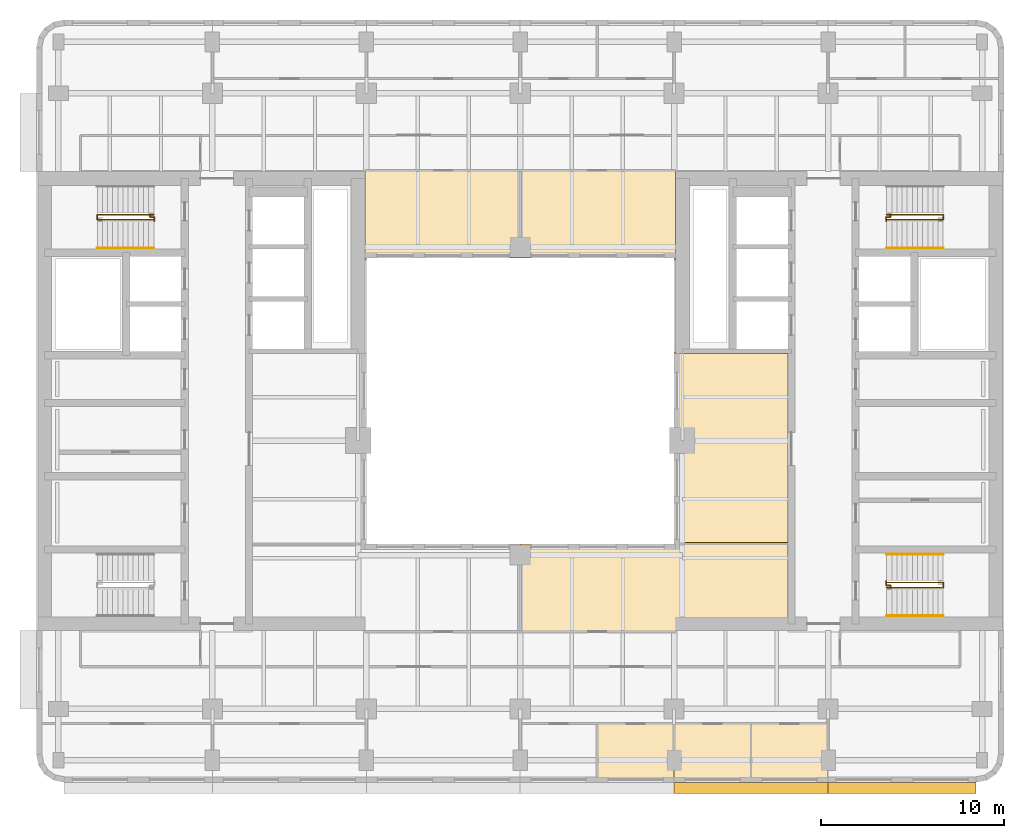
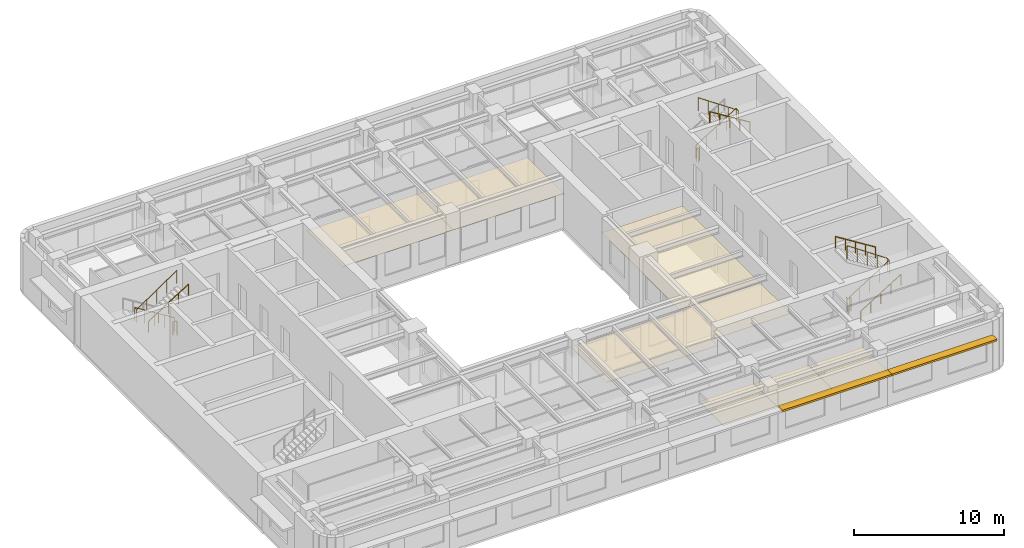
# One storey, part 10 of 11: 10 railings, 7 coverings, 2 shading devices.
"""IFC4 building model written with IfcOpenShell, lengths in metres."""

from ifc_helpers import new_model, si_unit, direction, frame, origin, origin_2d, place, context, subcontext, project, spatial, polyline, rectangle, circle, outline, extrude, material, layer, layer_set, type_object, element, save


model = new_model("IFC4")

# Units and contexts
model_context = context("Model", 3, precision=1e-05, world=origin(), true_north=direction((0.0, 1.0)))
body_context = subcontext(model_context, "Body", "Model", "MODEL_VIEW")
ifc_project = project(units=[si_unit("LENGTHUNIT", "METRE"), si_unit("AREAUNIT", "SQUARE_METRE"), si_unit("VOLUMEUNIT", "CUBIC_METRE"), si_unit("PLANEANGLEUNIT", "RADIAN"), si_unit("MASSUNIT", "GRAM", prefix="KILO")], contexts=[model_context])

# Site, building, storey
site_placement = place(None, origin())
site = spatial("IfcSite", under=ifc_project, at=site_placement, CompositionType="ELEMENT")
building_placement = place(site_placement, origin())
building = spatial("IfcBuilding", under=site, at=building_placement, Name="Claustro Exchange Tower", CompositionType="ELEMENT")
storey_placement = place(building_placement, frame((0.0, 0.0, 232.199951171875)))
storey = spatial("IfcBuildingStorey", under=building, at=storey_placement, Name="L53", CompositionType="ELEMENT", Elevation=232.199951171875)

# Coverings
ifc_material_1 = material(Name="Gypsum board ceiling", Category="gypsum board")
ifc_layer_1 = layer(ifc_material_1, 0.02490234375)
ifc_layer_set_1 = layer_set([ifc_layer_1], Name="Gypsum board ceiling")
covering_type = type_object("IfcCoveringType", Name="CL2 plasterboard ceiling", PredefinedType="CEILING", material=ifc_layer_set_1)
covering_1_placement = place(storey_placement, frame((0.0, 0.0, 2.800048828125)))
element("IfcCovering", 1, at=covering_1_placement, inside=storey, type_object=covering_type, Name="Ceiling CL2 L53-04", PredefinedType="CEILING", context=body_context, shape_type="SweptSolid", body=[
    extrude(outline(polyline([(29.39990234375, 4.39990234375), (33.60009765625, 4.39990234375), (33.60009765625, 7.60009765625), (29.39990234375, 7.60009765625), (29.39990234375, 4.39990234375)])), origin(), (0.0, 0.0, 1.0), 0.02490234375),
])
covering_2_placement = place(storey_placement, frame((0.0, 0.0, 2.800048828125)))
element("IfcCovering", 2, at=covering_2_placement, inside=storey, type_object=covering_type, Name="Ceiling CL2 L53-05", PredefinedType="CEILING", context=body_context, shape_type="SweptSolid", body=[
    extrude(outline(polyline([(33.60009765625, 4.39990234375), (37.800048828125, 4.39990234375), (37.800048828125, 7.60009765625), (33.60009765625, 7.60009765625), (33.60009765625, 4.39990234375)])), origin(), (0.0, 0.0, 1.0), 0.02490234375),
])
covering_3_placement = place(storey_placement, frame((0.0, 0.0, 2.800048828125)))
element("IfcCovering", 3, at=covering_3_placement, inside=storey, type_object=covering_type, Name="Ceiling CL2 L53-06", PredefinedType="CEILING", context=body_context, shape_type="SweptSolid", body=[
    extrude(outline(polyline([(37.800048828125, 4.39990234375), (42.0, 4.39990234375), (42.0, 7.60009765625), (37.800048828125, 7.60009765625), (37.800048828125, 4.39990234375)])), origin(), (0.0, 0.0, 1.0), 0.02490234375),
])
covering_4_placement = place(storey_placement, frame((0.0, 0.0, 2.800048828125)))
element("IfcCovering", 4, at=covering_4_placement, inside=storey, type_object=covering_type, Name="Ceiling CL2 L53-12", PredefinedType="CEILING", context=body_context, shape_type="SweptSolid", body=[
    extrude(outline(polyline([(39.800048828125, 13.405029296875), (39.800048828125, 17.4951171875), (33.60009765625, 17.4951171875), (33.60009765625, 17.39990234375), (25.199951171875, 17.39990234375), (25.199951171875, 12.60009765625), (33.695068359375, 12.60009765625), (33.695068359375, 13.405029296875), (39.800048828125, 13.405029296875)])), origin(), (0.0, 0.0, 1.0), 0.02490234375),
])
covering_5_placement = place(storey_placement, frame((0.0, 0.0, 2.800048828125)))
element("IfcCovering", 5, at=covering_5_placement, inside=storey, type_object=covering_type, Name="Ceiling CL2 L53-14", PredefinedType="CEILING", context=body_context, shape_type="SweptSolid", body=[
    extrude(outline(polyline([(33.60009765625, 27.89501953125), (33.60009765625, 17.304931640625), (39.800048828125, 17.304931640625), (39.800048828125, 27.800048828125), (33.675048828125, 27.800048828125), (33.675048828125, 27.89501953125), (33.60009765625, 27.89501953125)])), origin(), (0.0, 0.0, 1.0), 0.02490234375),
])
covering_6_placement = place(storey_placement, frame((0.0, 0.0, 2.800048828125)))
element("IfcCovering", 6, at=covering_6_placement, inside=storey, type_object=covering_type, Name="Ceiling CL2 L53-15", PredefinedType="CEILING", context=body_context, shape_type="SweptSolid", body=[
    extrude(outline(polyline([(25.199951171875, 37.800048828125), (16.705078125, 37.800048828125), (16.705078125, 37.72509765625), (16.72509765625, 37.72509765625), (16.72509765625, 32.905029296875), (16.800048828125, 32.905029296875), (16.800048828125, 33.0), (25.199951171875, 33.0), (25.199951171875, 37.800048828125)])), origin(), (0.0, 0.0, 1.0), 0.02490234375),
])
covering_7_placement = place(storey_placement, frame((0.0, 0.0, 2.800048828125)))
element("IfcCovering", 7, at=covering_7_placement, inside=storey, type_object=covering_type, Name="Ceiling CL2 L53-16", PredefinedType="CEILING", context=body_context, shape_type="SweptSolid", body=[
    extrude(outline(polyline([(33.60009765625, 33.0), (33.60009765625, 32.905029296875), (33.675048828125, 32.905029296875), (33.675048828125, 37.72509765625), (33.695068359375, 37.72509765625), (33.695068359375, 37.800048828125), (25.199951171875, 37.800048828125), (25.199951171875, 33.0), (33.60009765625, 33.0)])), origin(), (0.0, 0.0, 1.0), 0.02490234375),
])

# Railings
ifc_material_2 = material(Name="Steel balustrade, painted", Category="steel")
railing_type_1 = type_object("IfcRailingType", Name="GR2 1100 steel stair guard", PredefinedType="GUARDRAIL", material=ifc_material_2)
railing_1_placement = place(storey_placement, frame((5.199951171875, 35.375, 0.175048828125)))
element("IfcRailing", 8, at=railing_1_placement, inside=storey, type_object=railing_type_1, Name="Stair well guard GR2 stair STWB L53", PredefinedType="GUARDRAIL", context=body_context, shape_type="SweptSolid", body=[
    extrude(circle(Radius=0.02392578125, at=origin_2d()), frame((0.0, 0.0, 1.076171875), z_axis=(-0.847979421464, 0.0, 0.530029150871), x_axis=(0.0, -1.0, 0.0)), (0.0, 0.0, 1.0), 3.632080078125),
    extrude(circle(Radius=0.02392578125, at=origin_2d()), frame((-3.079833984375, 0.0, 3.0009765625), z_axis=(0.0, -1.0, 0.0), x_axis=(1.0, 0.0, 0.0)), (0.0, 0.0, 1.0), 0.27490234375),
    extrude(circle(Radius=0.02392578125, at=origin_2d()), frame((-3.079833984375, -0.27490234375, 3.0009765625), z_axis=(0.826231499792, 0.0, 0.563330727682), x_axis=(0.0, 1.0, 0.0)), (0.0, 0.0, 1.0), 3.7275390625),
    extrude(circle(Radius=0.02099609375, at=origin_2d()), origin(), (0.0, 0.0, 1.0), 1.052001953125),
    extrude(circle(Radius=0.02099609375, at=origin_2d()), frame((-0.77001953125, 0.0, 0.481201171875)), (0.0, 0.0, 1.0), 1.052001953125),
    extrude(circle(Radius=0.02099609375, at=origin_2d()), frame((-1.5400390625, 0.0, 0.96240234375)), (0.0, 0.0, 1.0), 1.052001953125),
    extrude(circle(Radius=0.02099609375, at=origin_2d()), frame((-2.309814453125, 0.0, 1.44384765625)), (0.0, 0.0, 1.0), 1.052001953125),
    extrude(circle(Radius=0.02099609375, at=origin_2d()), frame((-3.079833984375, 0.0, 1.925048828125)), (0.0, 0.0, 1.0), 1.052001953125),
    extrude(circle(Radius=0.02099609375, at=origin_2d()), frame((-3.079833984375, -0.27490234375, 1.925048828125)), (0.0, 0.0, 1.0), 1.052001953125),
    extrude(circle(Radius=0.02099609375, at=origin_2d()), frame((-2.309814453125, -0.27490234375, 2.449951171875)), (0.0, 0.0, 1.0), 1.052001953125),
    extrude(circle(Radius=0.02099609375, at=origin_2d()), frame((-1.5400390625, -0.27490234375, 2.97509765625)), (0.0, 0.0, 1.0), 1.052001953125),
    extrude(circle(Radius=0.02099609375, at=origin_2d()), frame((-0.77001953125, -0.27490234375, 3.5)), (0.0, 0.0, 1.0), 1.052001953125),
    extrude(circle(Radius=0.02099609375, at=origin_2d()), frame((0.0, -0.27490234375, 4.02490234375)), (0.0, 0.0, 1.0), 1.052001953125),
])
railing_2_placement = place(storey_placement, frame((5.0, 35.304931640625, 0.0)))
element("IfcRailing", 9, at=railing_2_placement, inside=storey, type_object=railing_type_1, Name="Stair guard GR2 STWB L53", PredefinedType="GUARDRAIL", context=body_context, shape_type="SweptSolid", body=[
    extrude(circle(Radius=0.02392578125, at=origin_2d()), frame((0.0, 0.0, 1.076171875), z_axis=(0.0, -1.0, 0.0), x_axis=(1.0, 0.0, 0.0)), (0.0, 0.0, 1.0), 0.0673828125),
    extrude(circle(Radius=0.02392578125, at=origin_2d()), frame((0.0, -0.0673828125, 1.076171875), z_axis=(1.0, 0.0, 0.0), x_axis=(0.0, 1.0, 0.0)), (0.0, 0.0, 1.0), 0.22509765625),
    extrude(circle(Radius=0.02392578125, at=origin_2d()), frame((0.22509765625, -0.0673828125, 1.076171875), z_axis=(0.0, -1.0, 0.0), x_axis=(1.0, 0.0, 0.0)), (0.0, 0.0, 1.0), 0.217529296875),
    extrude(circle(Radius=0.02099609375, at=origin_2d()), origin(), (0.0, 0.0, 1.0), 1.052001953125),
    extrude(circle(Radius=0.02099609375, at=origin_2d()), frame((0.0, -0.0673828125, 0.0)), (0.0, 0.0, 1.0), 1.052001953125),
    extrude(circle(Radius=0.02099609375, at=origin_2d()), frame((0.22509765625, -0.0673828125, 0.0)), (0.0, 0.0, 1.0), 1.052001953125),
    extrude(circle(Radius=0.02099609375, at=origin_2d()), frame((0.22509765625, -0.284912109375, 0.0)), (0.0, 0.0, 1.0), 1.052001953125),
])
railing_3_placement = place(storey_placement, frame((45.199951171875, 15.02490234375, 0.175048828125)))
element("IfcRailing", 10, at=railing_3_placement, inside=storey, type_object=railing_type_1, Name="Stair well guard GR2 stair STEA L53", PredefinedType="GUARDRAIL", context=body_context, shape_type="SweptSolid", body=[
    extrude(circle(Radius=0.02392578125, at=origin_2d()), frame((0.0, 0.0, 1.076171875), z_axis=(0.847998304005, 0.0, 0.529998940003), x_axis=(0.0, 1.0, 0.0)), (0.0, 0.0, 1.0), 3.632080078125),
    extrude(circle(Radius=0.02392578125, at=origin_2d()), frame((3.080078125, 0.0, 3.0009765625), z_axis=(0.0, 1.0, 0.0), x_axis=(-1.0, 0.0, 0.0)), (0.0, 0.0, 1.0), 0.275146484375),
    extrude(circle(Radius=0.02392578125, at=origin_2d()), frame((3.080078125, 0.275146484375, 3.0009765625), z_axis=(-0.826252282691, 0.0, 0.563300244406), x_axis=(0.0, -1.0, 0.0)), (0.0, 0.0, 1.0), 3.727783203125),
    extrude(circle(Radius=0.02099609375, at=origin_2d()), origin(), (0.0, 0.0, 1.0), 1.052001953125),
    extrude(circle(Radius=0.02099609375, at=origin_2d()), frame((0.77001953125, 0.0, 0.481201171875)), (0.0, 0.0, 1.0), 1.052001953125),
    extrude(circle(Radius=0.02099609375, at=origin_2d()), frame((1.5400390625, 0.0, 0.96240234375)), (0.0, 0.0, 1.0), 1.052001953125),
    extrude(circle(Radius=0.02099609375, at=origin_2d()), frame((2.31005859375, 0.0, 1.44384765625)), (0.0, 0.0, 1.0), 1.052001953125),
    extrude(circle(Radius=0.02099609375, at=origin_2d()), frame((3.080078125, 0.0, 1.925048828125)), (0.0, 0.0, 1.0), 1.052001953125),
    extrude(circle(Radius=0.02099609375, at=origin_2d()), frame((3.080078125, 0.275146484375, 1.925048828125)), (0.0, 0.0, 1.0), 1.052001953125),
    extrude(circle(Radius=0.02099609375, at=origin_2d()), frame((2.31005859375, 0.275146484375, 2.449951171875)), (0.0, 0.0, 1.0), 1.052001953125),
    extrude(circle(Radius=0.02099609375, at=origin_2d()), frame((1.5400390625, 0.275146484375, 2.97509765625)), (0.0, 0.0, 1.0), 1.052001953125),
    extrude(circle(Radius=0.02099609375, at=origin_2d()), frame((0.77001953125, 0.275146484375, 3.5)), (0.0, 0.0, 1.0), 1.052001953125),
    extrude(circle(Radius=0.02099609375, at=origin_2d()), frame((0.0, 0.275146484375, 4.02490234375)), (0.0, 0.0, 1.0), 1.052001953125),
])
railing_4_placement = place(storey_placement, frame((45.39990234375, 15.094970703125, 0.0)))
element("IfcRailing", 11, at=railing_4_placement, inside=storey, type_object=railing_type_1, Name="Stair guard GR2 STEA L53", PredefinedType="GUARDRAIL", context=body_context, shape_type="SweptSolid", body=[
    extrude(circle(Radius=0.02392578125, at=origin_2d()), frame((0.0, 0.0, 1.076171875), z_axis=(0.0, 1.0, 0.0), x_axis=(-1.0, 0.0, 0.0)), (0.0, 0.0, 1.0), 0.067626953125),
    extrude(circle(Radius=0.02392578125, at=origin_2d()), frame((0.0, 0.067626953125, 1.076171875), z_axis=(-1.0, 0.0, 0.0), x_axis=(0.0, -1.0, 0.0)), (0.0, 0.0, 1.0), 0.224853515625),
    extrude(circle(Radius=0.02392578125, at=origin_2d()), frame((-0.224853515625, 0.067626953125, 1.076171875), z_axis=(0.0, 1.0, 0.0), x_axis=(-1.0, 0.0, 0.0)), (0.0, 0.0, 1.0), 0.21728515625),
    extrude(circle(Radius=0.02099609375, at=origin_2d()), origin(), (0.0, 0.0, 1.0), 1.052001953125),
    extrude(circle(Radius=0.02099609375, at=origin_2d()), frame((0.0, 0.067626953125, 0.0)), (0.0, 0.0, 1.0), 1.052001953125),
    extrude(circle(Radius=0.02099609375, at=origin_2d()), frame((-0.224853515625, 0.067626953125, 0.0)), (0.0, 0.0, 1.0), 1.052001953125),
    extrude(circle(Radius=0.02099609375, at=origin_2d()), frame((-0.224853515625, 0.284912109375, 0.0)), (0.0, 0.0, 1.0), 1.052001953125),
])
railing_5_placement = place(storey_placement, frame((45.199951171875, 35.375, 0.175048828125)))
element("IfcRailing", 12, at=railing_5_placement, inside=storey, type_object=railing_type_1, Name="Stair well guard GR2 stair STEB L53", PredefinedType="GUARDRAIL", context=body_context, shape_type="SweptSolid", body=[
    extrude(circle(Radius=0.02392578125, at=origin_2d()), frame((0.0, 0.0, 1.076171875), z_axis=(0.847998304005, 0.0, 0.529998940003), x_axis=(0.0, 1.0, 0.0)), (0.0, 0.0, 1.0), 3.632080078125),
    extrude(circle(Radius=0.02392578125, at=origin_2d()), frame((3.080078125, 0.0, 3.0009765625), z_axis=(0.0, -1.0, 0.0), x_axis=(1.0, 0.0, 0.0)), (0.0, 0.0, 1.0), 0.27490234375),
    extrude(circle(Radius=0.02392578125, at=origin_2d()), frame((3.080078125, -0.27490234375, 3.0009765625), z_axis=(-0.826252282691, 0.0, 0.563300244406), x_axis=(0.0, -1.0, 0.0)), (0.0, 0.0, 1.0), 3.727783203125),
    extrude(circle(Radius=0.02099609375, at=origin_2d()), origin(), (0.0, 0.0, 1.0), 1.052001953125),
    extrude(circle(Radius=0.02099609375, at=origin_2d()), frame((0.77001953125, 0.0, 0.481201171875)), (0.0, 0.0, 1.0), 1.052001953125),
    extrude(circle(Radius=0.02099609375, at=origin_2d()), frame((1.5400390625, 0.0, 0.96240234375)), (0.0, 0.0, 1.0), 1.052001953125),
    extrude(circle(Radius=0.02099609375, at=origin_2d()), frame((2.31005859375, 0.0, 1.44384765625)), (0.0, 0.0, 1.0), 1.052001953125),
    extrude(circle(Radius=0.02099609375, at=origin_2d()), frame((3.080078125, 0.0, 1.925048828125)), (0.0, 0.0, 1.0), 1.052001953125),
    extrude(circle(Radius=0.02099609375, at=origin_2d()), frame((3.080078125, -0.27490234375, 1.925048828125)), (0.0, 0.0, 1.0), 1.052001953125),
    extrude(circle(Radius=0.02099609375, at=origin_2d()), frame((2.31005859375, -0.27490234375, 2.449951171875)), (0.0, 0.0, 1.0), 1.052001953125),
    extrude(circle(Radius=0.02099609375, at=origin_2d()), frame((1.5400390625, -0.27490234375, 2.97509765625)), (0.0, 0.0, 1.0), 1.052001953125),
    extrude(circle(Radius=0.02099609375, at=origin_2d()), frame((0.77001953125, -0.27490234375, 3.5)), (0.0, 0.0, 1.0), 1.052001953125),
    extrude(circle(Radius=0.02099609375, at=origin_2d()), frame((0.0, -0.27490234375, 4.02490234375)), (0.0, 0.0, 1.0), 1.052001953125),
])
railing_6_placement = place(storey_placement, frame((45.39990234375, 35.304931640625, 0.0)))
element("IfcRailing", 13, at=railing_6_placement, inside=storey, type_object=railing_type_1, Name="Stair guard GR2 STEB L53", PredefinedType="GUARDRAIL", context=body_context, shape_type="SweptSolid", body=[
    extrude(circle(Radius=0.02392578125, at=origin_2d()), frame((0.0, 0.0, 1.076171875), z_axis=(0.0, -1.0, 0.0), x_axis=(1.0, 0.0, 0.0)), (0.0, 0.0, 1.0), 0.0673828125),
    extrude(circle(Radius=0.02392578125, at=origin_2d()), frame((0.0, -0.0673828125, 1.076171875), z_axis=(-1.0, 0.0, 0.0), x_axis=(0.0, -1.0, 0.0)), (0.0, 0.0, 1.0), 0.224853515625),
    extrude(circle(Radius=0.02392578125, at=origin_2d()), frame((-0.224853515625, -0.0673828125, 1.076171875), z_axis=(0.0, -1.0, 0.0), x_axis=(1.0, 0.0, 0.0)), (0.0, 0.0, 1.0), 0.217529296875),
    extrude(circle(Radius=0.02099609375, at=origin_2d()), origin(), (0.0, 0.0, 1.0), 1.052001953125),
    extrude(circle(Radius=0.02099609375, at=origin_2d()), frame((0.0, -0.0673828125, 0.0)), (0.0, 0.0, 1.0), 1.052001953125),
    extrude(circle(Radius=0.02099609375, at=origin_2d()), frame((-0.224853515625, -0.0673828125, 0.0)), (0.0, 0.0, 1.0), 1.052001953125),
    extrude(circle(Radius=0.02099609375, at=origin_2d()), frame((-0.224853515625, -0.284912109375, 0.0)), (0.0, 0.0, 1.0), 1.052001953125),
])
ifc_material_3 = material(Name="Stainless steel tube", Category="steel")
railing_type_2 = type_object("IfcRailingType", Name="HR1 900 stair handrail", PredefinedType="HANDRAIL", material=ifc_material_3)
railing_7_placement = place(storey_placement, frame((2.1201171875, 33.56005859375, 2.275146484375)))
element("IfcRailing", 14, at=railing_7_placement, inside=storey, type_object=railing_type_2, Name="Handrail HR1 stair STWB L53", PredefinedType="HANDRAIL", context=body_context, shape_type="SweptSolid", body=[
    extrude(circle(Radius=0.02392578125, at=origin_2d()), frame((0.0, 0.0, 0.8759765625), z_axis=(0.848009633417, 0.0, 0.529980812513), x_axis=(0.0, 1.0, 0.0)), (0.0, 0.0, 1.0), 3.6318359375),
    extrude(circle(Radius=0.02099609375, at=origin_2d()), origin(), (0.0, 0.0, 1.0), 0.851806640625),
    extrude(circle(Radius=0.02099609375, at=origin_2d()), frame((0.77001953125, 0.0, 0.481201171875)), (0.0, 0.0, 1.0), 0.851806640625),
    extrude(circle(Radius=0.02099609375, at=origin_2d()), frame((1.5400390625, 0.0, 0.96240234375)), (0.0, 0.0, 1.0), 0.851806640625),
    extrude(circle(Radius=0.02099609375, at=origin_2d()), frame((2.309814453125, 0.0, 1.443603515625)), (0.0, 0.0, 1.0), 0.851806640625),
    extrude(circle(Radius=0.02099609375, at=origin_2d()), frame((3.079833984375, 0.0, 1.9248046875)), (0.0, 0.0, 1.0), 0.851806640625),
])
railing_8_placement = place(storey_placement, frame((45.199951171875, 13.485107421875, 0.175048828125)))
element("IfcRailing", 15, at=railing_8_placement, inside=storey, type_object=railing_type_2, Name="Handrail HR1 stair STEA L53", PredefinedType="HANDRAIL", context=body_context, shape_type="SweptSolid", body=[
    extrude(circle(Radius=0.02392578125, at=origin_2d()), frame((0.0, 0.0, 0.8759765625), z_axis=(0.847998304005, 0.0, 0.529998940003), x_axis=(0.0, 1.0, 0.0)), (0.0, 0.0, 1.0), 3.632080078125),
    extrude(circle(Radius=0.02099609375, at=origin_2d()), origin(), (0.0, 0.0, 1.0), 0.851806640625),
    extrude(circle(Radius=0.02099609375, at=origin_2d()), frame((0.77001953125, 0.0, 0.481201171875)), (0.0, 0.0, 1.0), 0.851806640625),
    extrude(circle(Radius=0.02099609375, at=origin_2d()), frame((1.5400390625, 0.0, 0.96240234375)), (0.0, 0.0, 1.0), 0.851806640625),
    extrude(circle(Radius=0.02099609375, at=origin_2d()), frame((2.31005859375, 0.0, 1.44384765625)), (0.0, 0.0, 1.0), 0.851806640625),
    extrude(circle(Radius=0.02099609375, at=origin_2d()), frame((3.080078125, 0.0, 1.925048828125)), (0.0, 0.0, 1.0), 0.851806640625),
])
for number, where, name in (
    (16, (48.280029296875, 16.840087890625, 2.275146484375), "Handrail HR1 stair STEA L53"),
    (17, (48.280029296875, 33.56005859375, 2.275146484375), "Handrail HR1 stair STEB L53"),
):
    element("IfcRailing", number, at=place(storey_placement, frame(where)), inside=storey, type_object=railing_type_2, Name=name, PredefinedType="HANDRAIL", context=body_context, shape_type="SweptSolid", body=[
        extrude(circle(Radius=0.02392578125, at=origin_2d()), frame((0.0, 0.0, 0.8759765625), z_axis=(-0.848028513186, 0.0, 0.529950602248), x_axis=(0.0, -1.0, 0.0)), (0.0, 0.0, 1.0), 3.632080078125),
        extrude(circle(Radius=0.02099609375, at=origin_2d()), origin(), (0.0, 0.0, 1.0), 0.851806640625),
        extrude(circle(Radius=0.02099609375, at=origin_2d()), frame((-0.77001953125, 0.0, 0.481201171875)), (0.0, 0.0, 1.0), 0.851806640625),
        extrude(circle(Radius=0.02099609375, at=origin_2d()), frame((-1.5400390625, 0.0, 0.96240234375)), (0.0, 0.0, 1.0), 0.851806640625),
        extrude(circle(Radius=0.02099609375, at=origin_2d()), frame((-2.31005859375, 0.0, 1.443603515625)), (0.0, 0.0, 1.0), 0.851806640625),
        extrude(circle(Radius=0.02099609375, at=origin_2d()), frame((-3.080078125, 0.0, 1.9248046875)), (0.0, 0.0, 1.0), 0.851806640625),
    ])

# Shading devices
ifc_material_4 = material(Name="Concrete HA-40 (C40/50), precast, white cement, acid-etched", Category="concrete")
ifc_layer_2 = layer(ifc_material_4, 0.14990234375)
ifc_layer_set_2 = layer_set([ifc_layer_2], Name="Concrete HA-40 (C40/50), precast, white cement, acid-etched")
shading_device_type = type_object("IfcShadingDeviceType", Name="SS1 600 precast concrete SUNSHADE", PredefinedType="SHUTTER", material=ifc_layer_set_2)
shading_device_1_placement = place(storey_placement, frame((46.04248046875, 4.10009765625, 2.800048828125), z_axis=(0.0, 0.0, 1.0), x_axis=(-1.0, 0.0, 0.0)))
element("IfcShadingDevice", 18, at=shading_device_1_placement, inside=storey, type_object=shading_device_type, Name="Precast SUNSHADE SS1 L53", PredefinedType="SHUTTER", context=body_context, shape_type="SweptSolid", body=[
    extrude(rectangle(XDim=8.085205078125, YDim=0.60009765625, at=origin_2d()), origin(), (0.0, 0.0, 1.0), 0.14990234375),
])
shading_device_2_placement = place(storey_placement, frame((37.800048828125, 4.10009765625, 2.800048828125), z_axis=(0.0, 0.0, 1.0), x_axis=(-1.0, 0.0, 0.0)))
element("IfcShadingDevice", 19, at=shading_device_2_placement, inside=storey, type_object=shading_device_type, Name="Precast SUNSHADE SS1 L53", PredefinedType="SHUTTER", context=body_context, shape_type="SweptSolid", body=[
    extrude(rectangle(XDim=8.39990234375, YDim=0.60009765625, at=origin_2d()), origin(), (0.0, 0.0, 1.0), 0.14990234375),
])

save(model, "model.ifc")
